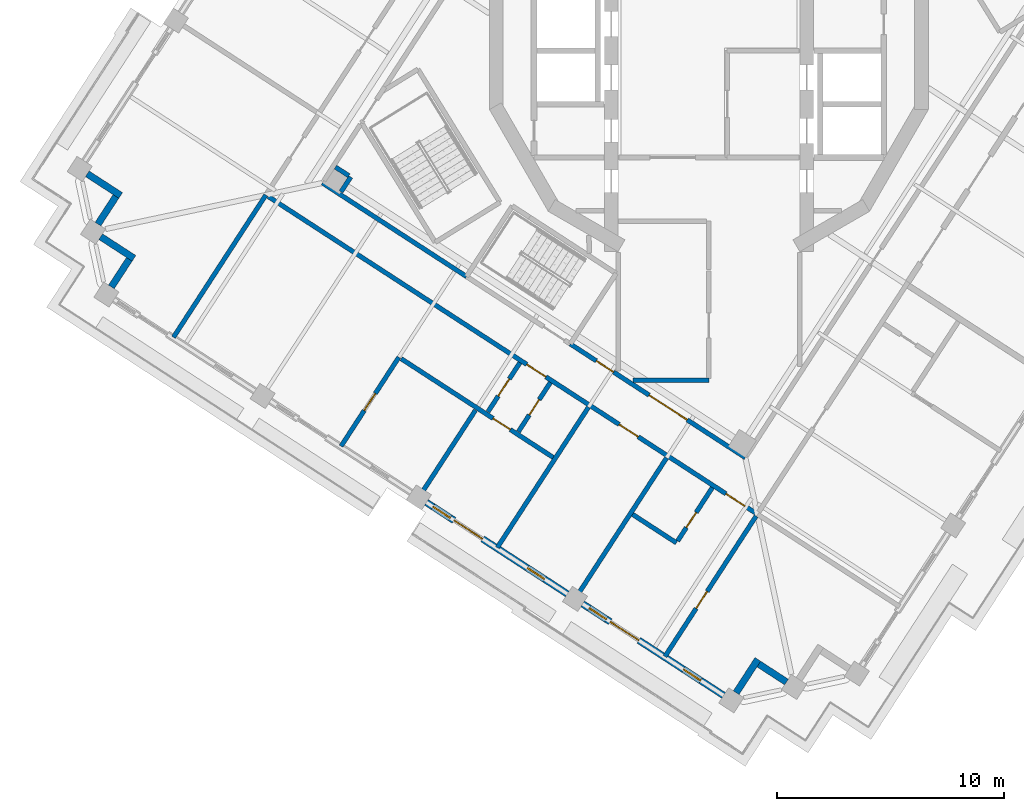
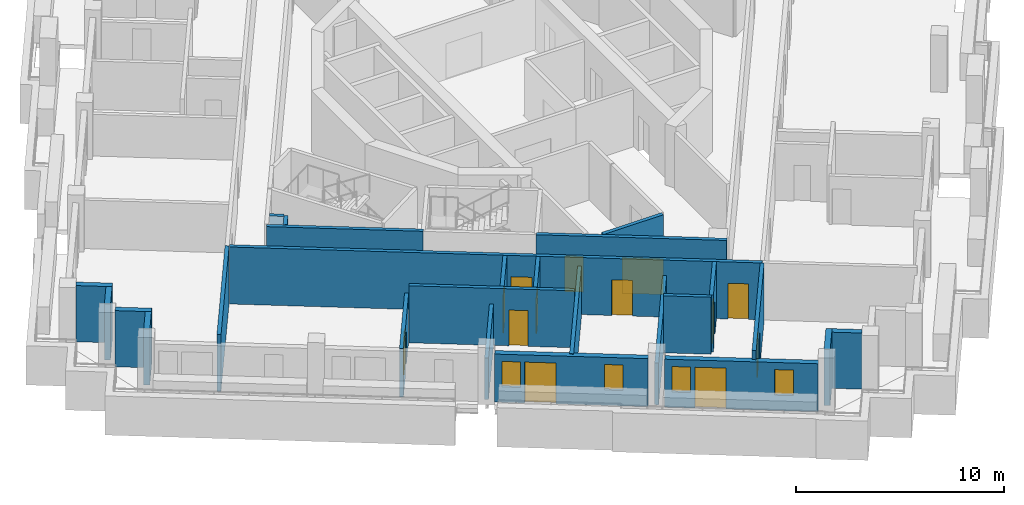
# One storey, part 4 of 15: 25 walls, 13 doors, 4 windows, 17 openings.
"""IFC4 building model written with IfcOpenShell, lengths in metres."""

from ifc_helpers import new_model, si_unit, direction, frame, frame_2d, origin, place, context, subcontext, project, spatial, rectangle, extrude, material, layer, layer_set, type_object, element, fill, save


model = new_model("IFC4")

# Units and contexts
model_context = context("Model", 3, precision=1e-05, world=origin(), true_north=direction((0.0, 1.0)))
body_context = subcontext(model_context, "Body", "Model", "MODEL_VIEW")
ifc_project = project(units=[si_unit("LENGTHUNIT", "METRE"), si_unit("AREAUNIT", "SQUARE_METRE"), si_unit("VOLUMEUNIT", "CUBIC_METRE"), si_unit("PLANEANGLEUNIT", "RADIAN"), si_unit("MASSUNIT", "GRAM", prefix="KILO")], contexts=[model_context])

# Site, building, storey
site_placement = place(None, origin())
site = spatial("IfcSite", under=ifc_project, at=site_placement, CompositionType="ELEMENT")
building_placement = place(site_placement, origin())
building = spatial("IfcBuilding", under=site, at=building_placement, Name="Cantera Rosa Tower", CompositionType="ELEMENT")
storey_placement = place(building_placement, frame((0.0, 0.0, 261.300048828125)))
storey = spatial("IfcBuildingStorey", under=building, at=storey_placement, Name="L58", CompositionType="ELEMENT", Elevation=261.300048828125)

# Wall, openings, doors
ifc_material_1 = material(Name="Gypsum board partition")
ifc_layer_1 = layer(ifc_material_1, 0.199951171875)
ifc_layer_set_1 = layer_set([ifc_layer_1], Name="CORRIDOR WALL 200 H3350")
wall_type_1 = type_object("IfcWallType", Name="CORRIDOR WALL 200 H3350", PredefinedType="PARTITIONING", material=ifc_layer_set_1)
wall_1_placement = place(storey_placement, frame((-19.4052734375, -6.416259765625, 0.0), z_axis=(0.0, 0.0, 1.0), x_axis=(0.83867117695, -0.544638097229, 0.0)))
wall_1 = element("IfcWall", 1, at=wall_1_placement, inside=storey, type_object=wall_type_1, Name="CORRIDOR WALL L58-002", PredefinedType="PARTITIONING", context=body_context, shape_type="SweptSolid", body=[
    extrude(rectangle(XDim=25.679931640625, YDim=0.199951171875, at=frame_2d((12.83984375, 0.0))), origin(), (0.0, 0.0, 1.0), 3.349853515625),
])
opening_1_placement = place(wall_1_placement, frame((13.580078125, 0.0, 0.0)))
opening_1 = element("IfcOpeningElement", 2, at=opening_1_placement, cuts=wall_1, Name="Opening L58-036", PredefinedType="OPENING", context=body_context, shape_type="SweptSolid", body=[
    extrude(rectangle(XDim=1.0, YDim=2.10009765625, at=frame_2d((0.5, 1.050048828125))), frame((0.0, 0.10986328125, 0.0), z_axis=(0.0, -1.0, 0.0), x_axis=(1.0, 0.0, 0.0)), (0.0, 0.0, 1.0), 0.219970703125),
])
opening_2_placement = place(wall_1_placement, frame((18.429931640625, 0.0, 0.0)))
opening_2 = element("IfcOpeningElement", 3, at=opening_2_placement, cuts=wall_1, Name="Opening L58-041", PredefinedType="OPENING", context=body_context, shape_type="SweptSolid", body=[
    extrude(rectangle(XDim=1.0, YDim=2.10009765625, at=frame_2d((0.5, 1.050048828125))), frame((0.0, 0.10986328125, 0.0), z_axis=(0.0, -1.0, 0.0), x_axis=(1.0, 0.0, 0.0)), (0.0, 0.0, 1.0), 0.219970703125),
])
opening_3_placement = place(wall_1_placement, frame((24.030029296875, 0.0, 0.0)))
opening_3 = element("IfcOpeningElement", 4, at=opening_3_placement, cuts=wall_1, Name="Opening L58-042", PredefinedType="OPENING", context=body_context, shape_type="SweptSolid", body=[
    extrude(rectangle(XDim=1.0, YDim=2.10009765625, at=frame_2d((0.5, 1.050048828125))), frame((0.0, 0.10986328125, 0.0), z_axis=(0.0, -1.0, 0.0), x_axis=(1.0, 0.0, 0.0)), (0.0, 0.0, 1.0), 0.219970703125),
])
ifc_material_2 = material(Name="Timber door leaf", Category="wood")
door_type_1 = type_object("IfcDoorType", Name="ENTRANCE DOOR 1000x2100", OperationType="NOTDEFINED", PredefinedType="DOOR", material=ifc_material_2)
door_1_placement = place(opening_1_placement, origin())
door_1 = element("IfcDoor", 5, at=door_1_placement, inside=storey, type_object=door_type_1, Name="DOOR L58-036", OperationType="NOTDEFINED", OverallHeight=2.10009765625, OverallWidth=1.0, PredefinedType="DOOR", context=body_context, shape_type="SweptSolid", body=[
    extrude(rectangle(XDim=1.0, YDim=2.10009765625, at=frame_2d((0.5, 1.050048828125))), frame((0.0, 0.02490234375, 0.0), z_axis=(0.0, -1.0, 0.0), x_axis=(1.0, 0.0, 0.0)), (0.0, 0.0, 1.0), 0.050048828125),
])
fill(opening_1, door_1)
door_2_placement = place(opening_3_placement, origin())
door_2 = element("IfcDoor", 6, at=door_2_placement, inside=storey, type_object=door_type_1, Name="DOOR L58-042", OperationType="NOTDEFINED", OverallHeight=2.10009765625, OverallWidth=1.0, PredefinedType="DOOR", context=body_context, shape_type="SweptSolid", body=[
    extrude(rectangle(XDim=1.0, YDim=2.10009765625, at=frame_2d((0.5, 1.050048828125))), frame((0.0, 0.02490234375, 0.0), z_axis=(0.0, -1.0, 0.0), x_axis=(1.0, 0.0, 0.0)), (0.0, 0.0, 1.0), 0.050048828125),
])
fill(opening_3, door_2)
ifc_material_3 = material(Name="Timber door leaf", Category="wood")
door_type_2 = type_object("IfcDoorType", Name="ROOM DOOR 1000x2100", OperationType="NOTDEFINED", PredefinedType="DOOR", material=ifc_material_3)
door_3_placement = place(opening_2_placement, origin())
door_3 = element("IfcDoor", 7, at=door_3_placement, inside=storey, type_object=door_type_2, Name="DOOR L58-041", OperationType="NOTDEFINED", OverallHeight=2.10009765625, OverallWidth=1.0, PredefinedType="DOOR", context=body_context, shape_type="SweptSolid", body=[
    extrude(rectangle(XDim=1.0, YDim=2.10009765625, at=frame_2d((0.5, 1.050048828125))), frame((0.0, 0.02490234375, 0.0), z_axis=(0.0, -1.0, 0.0), x_axis=(1.0, 0.0, 0.0)), (0.0, 0.0, 1.0), 0.050048828125),
])
fill(opening_2, door_3)

# Wall
wall_2_placement = place(storey_placement, frame((-17.015869140625, -5.82177734375, 0.0), z_axis=(0.0, 0.0, 1.0), x_axis=(0.838672854678, -0.544635513739, 0.0)))
element("IfcWall", 8, at=wall_2_placement, inside=storey, type_object=wall_type_1, Name="CORRIDOR WALL L58-005", PredefinedType="PARTITIONING", context=body_context, shape_type="SweptSolid", body=[
    extrude(rectangle(XDim=7.56494140625, YDim=0.199951171875, at=frame_2d((3.782470703125, 0.0))), origin(), (0.0, 0.0, 1.0), 3.349853515625),
])

# Wall, openings, doors
wall_3_placement = place(storey_placement, frame((-6.1005859375, -12.91015625, 0.0), z_axis=(0.0, 0.0, 1.0), x_axis=(0.838671883824, -0.544637008734, 0.0)))
wall_3 = element("IfcWall", 9, at=wall_3_placement, inside=storey, type_object=wall_type_1, Name="CORRIDOR WALL L58-038", PredefinedType="PARTITIONING", context=body_context, shape_type="SweptSolid", body=[
    extrude(rectangle(XDim=9.184814453125, YDim=0.199951171875, at=frame_2d((4.59228515625, 0.0))), origin(), (0.0, 0.0, 1.0), 3.349853515625),
])
opening_4_placement = place(wall_3_placement, frame((1.36572265625, 0.0, 0.0)))
opening_4 = element("IfcOpeningElement", 10, at=opening_4_placement, cuts=wall_3, Name="Opening L58-006", PredefinedType="OPENING", context=body_context, shape_type="SweptSolid", body=[
    extrude(rectangle(XDim=0.89990234375, YDim=2.10009765625, at=frame_2d((0.449951171875, 1.050048828125))), frame((0.0, 0.10986328125, 0.0), z_axis=(0.0, -1.0, 0.0), x_axis=(1.0, 0.0, 0.0)), (0.0, 0.0, 1.0), 0.219970703125),
])
opening_5_placement = place(wall_3_placement, frame((4.135009765625, 0.0, 0.0)))
opening_5 = element("IfcOpeningElement", 11, at=opening_5_placement, cuts=wall_3, Name="Opening L58-010", PredefinedType="OPENING", context=body_context, shape_type="SweptSolid", body=[
    extrude(rectangle(XDim=2.0, YDim=2.10009765625, at=frame_2d((1.0, 1.050048828125))), frame((0.0, 0.10986328125, 0.0), z_axis=(0.0, -1.0, 0.0), x_axis=(1.0, 0.0, 0.0)), (0.0, 0.0, 1.0), 0.219970703125),
])
ifc_material_4 = material(Name="Steel S355J2 (EN 10025-2)", Category="steel")
door_type_3 = type_object("IfcDoorType", Name="LOBBY SCREEN DOOR 2000x2100", OperationType="NOTDEFINED", PredefinedType="DOOR", material=ifc_material_4)
door_4_placement = place(opening_5_placement, origin())
door_4 = element("IfcDoor", 12, at=door_4_placement, inside=storey, type_object=door_type_3, Name="DOOR L58-010", OperationType="NOTDEFINED", OverallHeight=2.10009765625, OverallWidth=2.0, PredefinedType="DOOR", context=body_context, shape_type="SweptSolid", body=[
    extrude(rectangle(XDim=2.0, YDim=2.10009765625, at=frame_2d((1.0, 1.050048828125))), frame((0.0, 0.02490234375, 0.0), z_axis=(0.0, -1.0, 0.0), x_axis=(1.0, 0.0, 0.0)), (0.0, 0.0, 1.0), 0.050048828125),
])
fill(opening_5, door_4)
ifc_material_5 = material(Name="Timber door leaf", Category="wood")
door_type_4 = type_object("IfcDoorType", Name="SERVICE DOOR 900x2100", OperationType="NOTDEFINED", PredefinedType="DOOR", material=ifc_material_5)
door_5_placement = place(opening_4_placement, origin())
door_5 = element("IfcDoor", 13, at=door_5_placement, inside=storey, type_object=door_type_4, Name="DOOR L58-006", OperationType="NOTDEFINED", OverallHeight=2.10009765625, OverallWidth=0.89990234375, PredefinedType="DOOR", context=body_context, shape_type="SweptSolid", body=[
    extrude(rectangle(XDim=0.89990234375, YDim=2.10009765625, at=frame_2d((0.449951171875, 1.050048828125))), frame((0.0, 0.02490234375, 0.0), z_axis=(0.0, -1.0, 0.0), x_axis=(1.0, 0.0, 0.0)), (0.0, 0.0, 1.0), 0.050048828125),
])
fill(opening_4, door_5)

# Walls
wall_4_placement = place(storey_placement, frame((-3.33251953125, -14.5, 0.0), z_axis=(0.0, 0.0, 1.0), x_axis=(1.0, 0.0, 0.0)))
element("IfcWall", 14, at=wall_4_placement, inside=storey, type_object=wall_type_1, Name="CORRIDOR WALL L58-049", PredefinedType="PARTITIONING", context=body_context, shape_type="SweptSolid", body=[
    extrude(rectangle(XDim=3.33251953125, YDim=0.199951171875, at=frame_2d((1.666259765625, 0.0))), origin(), (0.0, 0.0, 1.0), 3.349853515625),
])
ifc_material_6 = material(Name="Hollow clay masonry with cantera stone cladding", Category="masonry")
ifc_layer_2 = layer(ifc_material_6, 0.300048828125)
ifc_layer_set_2 = layer_set([ifc_layer_2], Name="EW-LOGGIA 300")
wall_type_2 = type_object("IfcWallType", Name="EW-LOGGIA 300", PredefinedType="SOLIDWALL", material=ifc_layer_set_2)
wall_5_placement = place(storey_placement, frame((-27.36669921875, -5.41943359375, 0.0), z_axis=(0.0, 0.0, 1.0), x_axis=(0.838685761837, -0.54461563776, 0.0)))
element("IfcWall", 15, at=wall_5_placement, inside=storey, type_object=wall_type_2, Name="EN-L58-W12a", PredefinedType="SOLIDWALL", context=body_context, shape_type="SweptSolid", body=[
    extrude(rectangle(XDim=1.75, YDim=0.300048828125, at=frame_2d((0.875, 0.0))), origin(), (0.0, 0.0, 1.0), 3.300048828125),
])
wall_6_placement = place(storey_placement, frame((-26.1064453125, -6.41650390625, 0.0), z_axis=(0.0, 0.0, 1.0), x_axis=(-0.54467465438, -0.838647435384, 0.0)))
element("IfcWall", 16, at=wall_6_placement, inside=storey, type_object=wall_type_2, Name="EN-L58-W12b", PredefinedType="SOLIDWALL", context=body_context, shape_type="SweptSolid", body=[
    extrude(rectangle(XDim=1.449951171875, YDim=0.300048828125, at=frame_2d((0.72509765625, 0.0))), origin(), (0.0, 0.0, 1.0), 3.300048828125),
])
wall_7_placement = place(storey_placement, frame((-26.778564453125, -8.18603515625, 0.0), z_axis=(0.0, 0.0, 1.0), x_axis=(0.838685761837, -0.54461563776, 0.0)))
element("IfcWall", 17, at=wall_7_placement, inside=storey, type_object=wall_type_2, Name="EN-L58-W13a", PredefinedType="SOLIDWALL", context=body_context, shape_type="SweptSolid", body=[
    extrude(rectangle(XDim=1.75, YDim=0.300048828125, at=frame_2d((0.875, 0.0))), origin(), (0.0, 0.0, 1.0), 3.300048828125),
])
wall_8_placement = place(storey_placement, frame((-25.518310546875, -9.18310546875, 0.0), z_axis=(0.0, 0.0, 1.0), x_axis=(-0.54467465438, -0.838647435384, 0.0)))
element("IfcWall", 18, at=wall_8_placement, inside=storey, type_object=wall_type_2, Name="EN-L58-W13b", PredefinedType="SOLIDWALL", context=body_context, shape_type="SweptSolid", body=[
    extrude(rectangle(XDim=1.449951171875, YDim=0.300048828125, at=frame_2d((0.72509765625, 0.0))), origin(), (0.0, 0.0, 1.0), 3.300048828125),
])
wall_9_placement = place(storey_placement, frame((1.2001953125, -28.263427734375, 0.0), z_axis=(0.0, 0.0, 1.0), x_axis=(0.54461563776, 0.838685761837, 0.0)))
element("IfcWall", 19, at=wall_9_placement, inside=storey, type_object=wall_type_2, Name="EN-L58-W18a", PredefinedType="SOLIDWALL", context=body_context, shape_type="SweptSolid", body=[
    extrude(rectangle(XDim=1.75, YDim=0.300048828125, at=frame_2d((0.875, 0.0))), origin(), (0.0, 0.0, 1.0), 3.300048828125),
])
wall_10_placement = place(storey_placement, frame((2.197509765625, -27.003173828125, 0.0), z_axis=(0.0, 0.0, 1.0), x_axis=(0.838647435384, -0.54467465438, 0.0)))
element("IfcWall", 20, at=wall_10_placement, inside=storey, type_object=wall_type_2, Name="EN-L58-W18b", PredefinedType="SOLIDWALL", context=body_context, shape_type="SweptSolid", body=[
    extrude(rectangle(XDim=1.449951171875, YDim=0.300048828125, at=frame_2d((0.72509765625, 0.0))), origin(), (0.0, 0.0, 1.0), 3.300048828125),
])

# Wall, openings, windows, door
ifc_material_7 = material(Name="Hollow clay masonry with cantera stone cladding", Category="masonry")
ifc_layer_3 = layer(ifc_material_7, 0.300048828125)
ifc_layer_set_3 = layer_set([ifc_layer_3], Name="EW-LOGGIA 300 H2820")
wall_type_3 = type_object("IfcWallType", Name="EW-LOGGIA 300 H2820", PredefinedType="SOLIDWALL", material=ifc_layer_set_3)
wall_11_placement = place(storey_placement, frame((-12.436279296875, -19.884765625, 0.0), z_axis=(0.0, 0.0, 1.0), x_axis=(0.838669679097, -0.544640403719, 0.0)))
wall_11 = element("IfcWall", 21, at=wall_11_placement, inside=storey, type_object=wall_type_3, Name="EN-L58-W16", PredefinedType="SOLIDWALL", context=body_context, shape_type="SweptSolid", body=[
    extrude(rectangle(XDim=7.39990234375, YDim=0.300048828125, at=frame_2d((3.699951171875, 0.0))), origin(), (0.0, 0.0, 1.0), 2.820068359375),
])
opening_6_placement = place(wall_11_placement, frame((0.35009765625, 0.0, 0.89990234375)))
opening_6 = element("IfcOpeningElement", 22, at=opening_6_placement, cuts=wall_11, Name="Opening L58-W34", PredefinedType="OPENING", context=body_context, shape_type="SweptSolid", body=[
    extrude(rectangle(XDim=0.89990234375, YDim=1.5, at=frame_2d((0.449951171875, 0.75))), frame((0.0, 0.159912109375, 0.0), z_axis=(0.0, -1.0, 0.0), x_axis=(1.0, 0.0, 0.0)), (0.0, 0.0, 1.0), 0.320068359375),
])
opening_7_placement = place(wall_11_placement, frame((1.449951171875, 0.0, 0.0)))
opening_7 = element("IfcOpeningElement", 23, at=opening_7_placement, cuts=wall_11, Name="Opening L58-TD35", PredefinedType="OPENING", context=body_context, shape_type="SweptSolid", body=[
    extrude(rectangle(XDim=1.5, YDim=2.39990234375, at=frame_2d((0.75, 1.199951171875))), frame((0.0, 0.159912109375, 0.0), z_axis=(0.0, -1.0, 0.0), x_axis=(1.0, 0.0, 0.0)), (0.0, 0.0, 1.0), 0.320068359375),
])
opening_8_placement = place(wall_11_placement, frame((5.300048828125, 0.0, 0.89990234375)))
opening_8 = element("IfcOpeningElement", 24, at=opening_8_placement, cuts=wall_11, Name="Opening L58-W36", PredefinedType="OPENING", context=body_context, shape_type="SweptSolid", body=[
    extrude(rectangle(XDim=0.89990234375, YDim=1.5, at=frame_2d((0.449951171875, 0.75))), frame((0.0, 0.159912109375, 0.0), z_axis=(0.0, -1.0, 0.0), x_axis=(1.0, 0.0, 0.0)), (0.0, 0.0, 1.0), 0.320068359375),
])
ifc_material_8 = material(Name="Aluminium frame with clear glass", Category="aluminium")
window_type = type_object("IfcWindowType", Name="Residential window 900x1500", PartitioningType="SINGLE_PANEL", PredefinedType="WINDOW", material=ifc_material_8)
window_1_placement = place(opening_6_placement, origin())
window_1 = element("IfcWindow", 25, at=window_1_placement, inside=storey, type_object=window_type, Name="WINDOW L58-W34", OverallHeight=1.5, OverallWidth=0.89990234375, PartitioningType="SINGLE_PANEL", PredefinedType="WINDOW", context=body_context, shape_type="SweptSolid", body=[
    extrude(rectangle(XDim=0.89990234375, YDim=1.5, at=frame_2d((0.449951171875, 0.75))), frame((0.0, 0.030029296875, 0.0), z_axis=(0.0, -1.0, 0.0), x_axis=(1.0, 0.0, 0.0)), (0.0, 0.0, 1.0), 0.06005859375),
])
fill(opening_6, window_1)
window_2_placement = place(opening_8_placement, origin())
window_2 = element("IfcWindow", 26, at=window_2_placement, inside=storey, type_object=window_type, Name="WINDOW L58-W36", OverallHeight=1.5, OverallWidth=0.89990234375, PartitioningType="SINGLE_PANEL", PredefinedType="WINDOW", context=body_context, shape_type="SweptSolid", body=[
    extrude(rectangle(XDim=0.89990234375, YDim=1.5, at=frame_2d((0.449951171875, 0.75))), frame((0.0, 0.030029296875, 0.0), z_axis=(0.0, -1.0, 0.0), x_axis=(1.0, 0.0, 0.0)), (0.0, 0.0, 1.0), 0.06005859375),
])
fill(opening_8, window_2)
ifc_material_9 = material(Name="Aluminium frame with clear glass", Category="aluminium")
door_type_5 = type_object("IfcDoorType", Name="TD-R 1500x2400", OperationType="NOTDEFINED", PredefinedType="DOOR", material=ifc_material_9)
door_6_placement = place(opening_7_placement, origin())
door_6 = element("IfcDoor", 27, at=door_6_placement, inside=storey, type_object=door_type_5, Name="LOGGIA DOOR L58-TD35", OperationType="SLIDING_TO_LEFT", OverallHeight=2.39990234375, OverallWidth=1.5, PredefinedType="DOOR", context=body_context, shape_type="SweptSolid", body=[
    extrude(rectangle(XDim=1.5, YDim=2.39990234375, at=frame_2d((0.75, 1.199951171875))), frame((0.0, 0.02490234375, 0.0), z_axis=(0.0, -1.0, 0.0), x_axis=(1.0, 0.0, 0.0)), (0.0, 0.0, 1.0), 0.050048828125),
])
fill(opening_7, door_6)

wall_12_placement = place(storey_placement, frame((-5.559326171875, -24.350830078125, 0.0), z_axis=(0.0, 0.0, 1.0), x_axis=(0.838679465365, -0.544625333946, 0.0)))
wall_12 = element("IfcWall", 28, at=wall_12_placement, inside=storey, type_object=wall_type_3, Name="EN-L58-W17", PredefinedType="SOLIDWALL", context=body_context, shape_type="SweptSolid", body=[
    extrude(rectangle(XDim=7.400146484375, YDim=0.300048828125, at=frame_2d((3.7001953125, 0.0))), origin(), (0.0, 0.0, 1.0), 2.820068359375),
])
opening_9_placement = place(wall_12_placement, frame((0.35009765625, 0.0, 0.89990234375)))
opening_9 = element("IfcOpeningElement", 29, at=opening_9_placement, cuts=wall_12, Name="Opening L58-W37", PredefinedType="OPENING", context=body_context, shape_type="SweptSolid", body=[
    extrude(rectangle(XDim=0.89990234375, YDim=1.5, at=frame_2d((0.449951171875, 0.75))), frame((0.0, 0.159912109375, 0.0), z_axis=(0.0, -1.0, 0.0), x_axis=(1.0, 0.0, 0.0)), (0.0, 0.0, 1.0), 0.320068359375),
])
opening_10_placement = place(wall_12_placement, frame((1.449951171875, 0.0, 0.0)))
opening_10 = element("IfcOpeningElement", 30, at=opening_10_placement, cuts=wall_12, Name="Opening L58-TD38", PredefinedType="OPENING", context=body_context, shape_type="SweptSolid", body=[
    extrude(rectangle(XDim=1.5, YDim=2.39990234375, at=frame_2d((0.75, 1.199951171875))), frame((0.0, 0.159912109375, 0.0), z_axis=(0.0, -1.0, 0.0), x_axis=(1.0, 0.0, 0.0)), (0.0, 0.0, 1.0), 0.320068359375),
])
opening_11_placement = place(wall_12_placement, frame((5.300048828125, 0.0, 0.89990234375)))
opening_11 = element("IfcOpeningElement", 31, at=opening_11_placement, cuts=wall_12, Name="Opening L58-W39", PredefinedType="OPENING", context=body_context, shape_type="SweptSolid", body=[
    extrude(rectangle(XDim=0.89990234375, YDim=1.5, at=frame_2d((0.449951171875, 0.75))), frame((0.0, 0.159912109375, 0.0), z_axis=(0.0, -1.0, 0.0), x_axis=(1.0, 0.0, 0.0)), (0.0, 0.0, 1.0), 0.320068359375),
])
window_3_placement = place(opening_9_placement, origin())
window_3 = element("IfcWindow", 32, at=window_3_placement, inside=storey, type_object=window_type, Name="WINDOW L58-W37", OverallHeight=1.5, OverallWidth=0.89990234375, PartitioningType="SINGLE_PANEL", PredefinedType="WINDOW", context=body_context, shape_type="SweptSolid", body=[
    extrude(rectangle(XDim=0.89990234375, YDim=1.5, at=frame_2d((0.449951171875, 0.75))), frame((0.0, 0.030029296875, 0.0), z_axis=(0.0, -1.0, 0.0), x_axis=(1.0, 0.0, 0.0)), (0.0, 0.0, 1.0), 0.06005859375),
])
fill(opening_9, window_3)
window_4_placement = place(opening_11_placement, origin())
window_4 = element("IfcWindow", 33, at=window_4_placement, inside=storey, type_object=window_type, Name="WINDOW L58-W39", OverallHeight=1.5, OverallWidth=0.89990234375, PartitioningType="SINGLE_PANEL", PredefinedType="WINDOW", context=body_context, shape_type="SweptSolid", body=[
    extrude(rectangle(XDim=0.89990234375, YDim=1.5, at=frame_2d((0.449951171875, 0.75))), frame((0.0, 0.030029296875, 0.0), z_axis=(0.0, -1.0, 0.0), x_axis=(1.0, 0.0, 0.0)), (0.0, 0.0, 1.0), 0.06005859375),
])
fill(opening_11, window_4)
door_7_placement = place(opening_10_placement, origin())
door_7 = element("IfcDoor", 34, at=door_7_placement, inside=storey, type_object=door_type_5, Name="LOGGIA DOOR L58-TD38", OperationType="SLIDING_TO_LEFT", OverallHeight=2.39990234375, OverallWidth=1.5, PredefinedType="DOOR", context=body_context, shape_type="SweptSolid", body=[
    extrude(rectangle(XDim=1.5, YDim=2.39990234375, at=frame_2d((0.75, 1.199951171875))), frame((0.0, 0.02490234375, 0.0), z_axis=(0.0, -1.0, 0.0), x_axis=(1.0, 0.0, 0.0)), (0.0, 0.0, 1.0), 0.050048828125),
])
fill(opening_10, door_7)

# Wall
ifc_material_10 = material(Name="Gypsum board partition")
ifc_layer_4 = layer(ifc_material_10, 0.199951171875)
ifc_layer_set_4 = layer_set([ifc_layer_4], Name="PARTITION 200 H2450")
wall_type_4 = type_object("IfcWallType", Name="PARTITION 200 H2450", PredefinedType="PARTITIONING", material=ifc_layer_set_4)
wall_13_placement = place(storey_placement, frame((-12.75537109375, -19.6416015625, 0.0), z_axis=(0.0, 0.0, 1.0), x_axis=(0.544629951314, 0.8386764669, 0.0)))
element("IfcWall", 35, at=wall_13_placement, inside=storey, type_object=wall_type_4, Name="PARTITION L58-020", PredefinedType="PARTITIONING", context=body_context, shape_type="SweptSolid", body=[
    extrude(rectangle(XDim=4.550048828125, YDim=0.199951171875, at=frame_2d((2.27490234375, 0.0))), origin(), (0.0, 0.0, 1.0), 2.449951171875),
])

# Wall, opening, door
ifc_material_11 = material(Name="Gypsum board partition")
ifc_layer_5 = layer(ifc_material_11, 0.199951171875)
ifc_layer_set_5 = layer_set([ifc_layer_5], Name="PARTITION 200 H2850")
wall_type_5 = type_object("IfcWallType", Name="PARTITION 200 H2850", PredefinedType="PARTITIONING", material=ifc_layer_set_5)
wall_14_placement = place(storey_placement, frame((-16.194091796875, -17.40869140625, 0.0), z_axis=(0.0, 0.0, 1.0), x_axis=(0.544683283636, 0.838641830895, 0.0)))
wall_14 = element("IfcWall", 36, at=wall_14_placement, inside=storey, type_object=wall_type_5, Name="PARTITION L58-007", PredefinedType="PARTITIONING", context=body_context, shape_type="SweptSolid", body=[
    extrude(rectangle(XDim=4.670166015625, YDim=0.199951171875, at=frame_2d((2.3349609375, 0.0))), origin(), (0.0, 0.0, 1.0), 2.849853515625),
])
opening_12_placement = place(wall_14_placement, frame((1.8701171875, 0.0, 0.0)))
opening_12 = element("IfcOpeningElement", 37, at=opening_12_placement, cuts=wall_14, Name="Opening L58-040", PredefinedType="OPENING", context=body_context, shape_type="SweptSolid", body=[
    extrude(rectangle(XDim=0.89990234375, YDim=2.10009765625, at=frame_2d((0.449951171875, 1.050048828125))), frame((0.0, 0.10986328125, 0.0), z_axis=(0.0, -1.0, 0.0), x_axis=(1.0, 0.0, 0.0)), (0.0, 0.0, 1.0), 0.219970703125),
])
ifc_material_12 = material(Name="Timber door leaf", Category="wood")
door_type_6 = type_object("IfcDoorType", Name="ROOM DOOR 900x2100", OperationType="NOTDEFINED", PredefinedType="DOOR", material=ifc_material_12)
door_8_placement = place(opening_12_placement, origin())
door_8 = element("IfcDoor", 38, at=door_8_placement, inside=storey, type_object=door_type_6, Name="DOOR L58-040", OperationType="NOTDEFINED", OverallHeight=2.10009765625, OverallWidth=0.89990234375, PredefinedType="DOOR", context=body_context, shape_type="SweptSolid", body=[
    extrude(rectangle(XDim=0.89990234375, YDim=2.10009765625, at=frame_2d((0.449951171875, 1.050048828125))), frame((0.0, 0.02490234375, 0.0), z_axis=(0.0, -1.0, 0.0), x_axis=(1.0, 0.0, 0.0)), (0.0, 0.0, 1.0), 0.050048828125),
])
fill(opening_12, door_8)

# Walls
ifc_material_13 = material(Name="Gypsum board partition")
ifc_layer_6 = layer(ifc_material_13, 0.199951171875)
ifc_layer_set_6 = layer_set([ifc_layer_6], Name="PARTITION 200 H3350")
wall_type_6 = type_object("IfcWallType", Name="PARTITION 200 H3350", PredefinedType="PARTITIONING", material=ifc_layer_set_6)
wall_15_placement = place(storey_placement, frame((-16.19580078125, -6.211181640625, 0.0), z_axis=(0.0, 0.0, 1.0), x_axis=(0.544691230082, 0.838636669764, 0.0)))
element("IfcWall", 39, at=wall_15_placement, inside=storey, type_object=wall_type_6, Name="PARTITION L58-006", PredefinedType="PARTITIONING", context=body_context, shape_type="SweptSolid", body=[
    extrude(rectangle(XDim=0.77978515625, YDim=0.199951171875, at=frame_2d((0.389892578125, 0.0))), origin(), (0.0, 0.0, 1.0), 3.349853515625),
])
wall_16_placement = place(storey_placement, frame((-15.854736328125, -5.502685546875, 0.0), z_axis=(0.0, 0.0, 1.0), x_axis=(-0.838642734471, 0.544681892409, 0.0)))
element("IfcWall", 40, at=wall_16_placement, inside=storey, type_object=wall_type_6, Name="PARTITION L58-008", PredefinedType="PARTITIONING", context=body_context, shape_type="SweptSolid", body=[
    extrude(rectangle(XDim=0.7001953125, YDim=0.199951171875, at=frame_2d((0.35009765625, 0.0))), origin(), (0.0, 0.0, 1.0), 3.349853515625),
])

# Wall, opening, door
wall_17_placement = place(storey_placement, frame((-13.5498046875, -13.557373046875, 0.0), z_axis=(0.0, 0.0, 1.0), x_axis=(0.838664432153, -0.54464848319, 0.0)))
wall_17 = element("IfcWall", 41, at=wall_17_placement, inside=storey, type_object=wall_type_6, Name="PARTITION L58-015", PredefinedType="PARTITIONING", context=body_context, shape_type="SweptSolid", body=[
    extrude(rectangle(XDim=7.979736328125, YDim=0.199951171875, at=frame_2d((3.98974609375, 0.0))), origin(), (0.0, 0.0, 1.0), 3.349853515625),
])
opening_13_placement = place(wall_17_placement, frame((4.830078125, 0.0, 0.0)))
opening_13 = element("IfcOpeningElement", 42, at=opening_13_placement, cuts=wall_17, Name="Opening L58-039", PredefinedType="OPENING", context=body_context, shape_type="SweptSolid", body=[
    extrude(rectangle(XDim=0.89990234375, YDim=2.10009765625, at=frame_2d((0.449951171875, 1.050048828125))), frame((0.0, 0.10986328125, 0.0), z_axis=(0.0, -1.0, 0.0), x_axis=(1.0, 0.0, 0.0)), (0.0, 0.0, 1.0), 0.219970703125),
])
door_9_placement = place(opening_13_placement, origin())
door_9 = element("IfcDoor", 43, at=door_9_placement, inside=storey, type_object=door_type_6, Name="DOOR L58-039", OperationType="NOTDEFINED", OverallHeight=2.10009765625, OverallWidth=0.89990234375, PredefinedType="DOOR", context=body_context, shape_type="SweptSolid", body=[
    extrude(rectangle(XDim=0.89990234375, YDim=2.10009765625, at=frame_2d((0.449951171875, 1.050048828125))), frame((0.0, 0.02490234375, 0.0), z_axis=(0.0, -1.0, 0.0), x_axis=(1.0, 0.0, 0.0)), (0.0, 0.0, 1.0), 0.050048828125),
])
fill(opening_13, door_9)

wall_18_placement = place(storey_placement, frame((-9.727294921875, -15.896728515625, 0.0), z_axis=(0.0, 0.0, 1.0), x_axis=(0.544659035015, 0.838657579454, 0.0)))
wall_18 = element("IfcWall", 44, at=wall_18_placement, inside=storey, type_object=wall_type_6, Name="PARTITION L58-024", PredefinedType="PARTITIONING", context=body_context, shape_type="SweptSolid", body=[
    extrude(rectangle(XDim=2.580078125, YDim=0.199951171875, at=frame_2d((1.2900390625, 0.0))), origin(), (0.0, 0.0, 1.0), 3.349853515625),
])
opening_14_placement = place(wall_18_placement, frame((0.830078125, 0.0, 0.0)))
opening_14 = element("IfcOpeningElement", 45, at=opening_14_placement, cuts=wall_18, Name="Opening L58-038", PredefinedType="OPENING", context=body_context, shape_type="SweptSolid", body=[
    extrude(rectangle(XDim=0.89990234375, YDim=2.10009765625, at=frame_2d((0.449951171875, 1.050048828125))), frame((0.0, 0.10986328125, 0.0), z_axis=(0.0, -1.0, 0.0), x_axis=(1.0, 0.0, 0.0)), (0.0, 0.0, 1.0), 0.219970703125),
])
door_10_placement = place(opening_14_placement, origin())
door_10 = element("IfcDoor", 46, at=door_10_placement, inside=storey, type_object=door_type_6, Name="DOOR L58-038", OperationType="NOTDEFINED", OverallHeight=2.10009765625, OverallWidth=0.89990234375, PredefinedType="DOOR", context=body_context, shape_type="SweptSolid", body=[
    extrude(rectangle(XDim=0.89990234375, YDim=2.10009765625, at=frame_2d((0.449951171875, 1.050048828125))), frame((0.0, 0.02490234375, 0.0), z_axis=(0.0, -1.0, 0.0), x_axis=(1.0, 0.0, 0.0)), (0.0, 0.0, 1.0), 0.050048828125),
])
fill(opening_14, door_10)

wall_19_placement = place(storey_placement, frame((-8.385498046875, -16.768310546875, 0.0), z_axis=(0.0, 0.0, 1.0), x_axis=(0.544659035015, 0.838657579454, 0.0)))
wall_19 = element("IfcWall", 47, at=wall_19_placement, inside=storey, type_object=wall_type_6, Name="PARTITION L58-029", PredefinedType="PARTITIONING", context=body_context, shape_type="SweptSolid", body=[
    extrude(rectangle(XDim=2.580078125, YDim=0.199951171875, at=frame_2d((1.2900390625, 0.0))), origin(), (0.0, 0.0, 1.0), 3.349853515625),
])
opening_15_placement = place(wall_19_placement, frame((0.8798828125, 0.0, 0.0)))
opening_15 = element("IfcOpeningElement", 48, at=opening_15_placement, cuts=wall_19, Name="Opening L58-037", PredefinedType="OPENING", context=body_context, shape_type="SweptSolid", body=[
    extrude(rectangle(XDim=0.800048828125, YDim=2.10009765625, at=frame_2d((0.39990234375, 1.050048828125))), frame((0.0, 0.10986328125, 0.0), z_axis=(0.0, -1.0, 0.0), x_axis=(1.0, 0.0, 0.0)), (0.0, 0.0, 1.0), 0.219970703125),
])
ifc_material_14 = material(Name="Timber door leaf", Category="wood")
door_type_7 = type_object("IfcDoorType", Name="BATHROOM DOOR 800x2100", OperationType="NOTDEFINED", PredefinedType="DOOR", material=ifc_material_14)
door_11_placement = place(opening_15_placement, origin())
door_11 = element("IfcDoor", 49, at=door_11_placement, inside=storey, type_object=door_type_7, Name="DOOR L58-037", OperationType="NOTDEFINED", OverallHeight=2.10009765625, OverallWidth=0.800048828125, PredefinedType="DOOR", context=body_context, shape_type="SweptSolid", body=[
    extrude(rectangle(XDim=0.800048828125, YDim=2.10009765625, at=frame_2d((0.39990234375, 1.050048828125))), frame((0.0, 0.02490234375, 0.0), z_axis=(0.0, -1.0, 0.0), x_axis=(1.0, 0.0, 0.0)), (0.0, 0.0, 1.0), 0.050048828125),
])
fill(opening_15, door_11)

wall_20_placement = place(storey_placement, frame((-1.9365234375, -26.66748046875, 0.0), z_axis=(0.0, 0.0, 1.0), x_axis=(0.544637822535, 0.838671355338, 0.0)))
wall_20 = element("IfcWall", 50, at=wall_20_placement, inside=storey, type_object=wall_type_6, Name="PARTITION L58-053", PredefinedType="PARTITIONING", context=body_context, shape_type="SweptSolid", body=[
    extrude(rectangle(XDim=7.369873046875, YDim=0.199951171875, at=frame_2d((3.68505859375, 0.0))), origin(), (0.0, 0.0, 1.0), 3.349853515625),
])
opening_16_placement = place(wall_20_placement, frame((2.52001953125, 0.0, 0.0)))
opening_16 = element("IfcOpeningElement", 51, at=opening_16_placement, cuts=wall_20, Name="Opening L58-044", PredefinedType="OPENING", context=body_context, shape_type="SweptSolid", body=[
    extrude(rectangle(XDim=0.89990234375, YDim=2.10009765625, at=frame_2d((0.449951171875, 1.050048828125))), frame((0.0, 0.10986328125, 0.0), z_axis=(0.0, -1.0, 0.0), x_axis=(1.0, 0.0, 0.0)), (0.0, 0.0, 1.0), 0.219970703125),
])
door_12_placement = place(opening_16_placement, origin())
door_12 = element("IfcDoor", 52, at=door_12_placement, inside=storey, type_object=door_type_6, Name="DOOR L58-044", OperationType="NOTDEFINED", OverallHeight=2.10009765625, OverallWidth=0.89990234375, PredefinedType="DOOR", context=body_context, shape_type="SweptSolid", body=[
    extrude(rectangle(XDim=0.89990234375, YDim=2.10009765625, at=frame_2d((0.449951171875, 1.050048828125))), frame((0.0, 0.02490234375, 0.0), z_axis=(0.0, -1.0, 0.0), x_axis=(1.0, 0.0, 0.0)), (0.0, 0.0, 1.0), 0.050048828125),
])
fill(opening_16, door_12)

# Wall
wall_21_placement = place(storey_placement, frame((-1.430908203125, -21.666015625, 0.0), z_axis=(0.0, 0.0, 1.0), x_axis=(-0.838669083999, 0.544641320086, 0.0)))
element("IfcWall", 53, at=wall_21_placement, inside=storey, type_object=wall_type_6, Name="PARTITION L58-056", PredefinedType="PARTITIONING", context=body_context, shape_type="SweptSolid", body=[
    extrude(rectangle(XDim=2.300048828125, YDim=0.199951171875, at=frame_2d((1.14990234375, 0.0))), origin(), (0.0, 0.0, 1.0), 3.349853515625),
])

# Wall, opening, door
wall_22_placement = place(storey_placement, frame((0.1484375, -19.23388671875, 0.0), z_axis=(0.0, 0.0, 1.0), x_axis=(-0.54463889816, -0.83867065682, 0.0)))
wall_22 = element("IfcWall", 54, at=wall_22_placement, inside=storey, type_object=wall_type_6, Name="PARTITION L58-060", PredefinedType="PARTITIONING", context=body_context, shape_type="SweptSolid", body=[
    extrude(rectangle(XDim=2.7998046875, YDim=0.199951171875, at=frame_2d((1.39990234375, 0.0))), origin(), (0.0, 0.0, 1.0), 3.349853515625),
])
opening_17_placement = place(wall_22_placement, frame((1.300048828125, 0.0, 0.0)))
opening_17 = element("IfcOpeningElement", 55, at=opening_17_placement, cuts=wall_22, Name="Opening L58-043", PredefinedType="OPENING", context=body_context, shape_type="SweptSolid", body=[
    extrude(rectangle(XDim=0.800048828125, YDim=2.10009765625, at=frame_2d((0.39990234375, 1.050048828125))), frame((0.0, 0.10986328125, 0.0), z_axis=(0.0, -1.0, 0.0), x_axis=(1.0, 0.0, 0.0)), (0.0, 0.0, 1.0), 0.219970703125),
])
door_13_placement = place(opening_17_placement, origin())
door_13 = element("IfcDoor", 56, at=door_13_placement, inside=storey, type_object=door_type_7, Name="DOOR L58-043", OperationType="NOTDEFINED", OverallHeight=2.10009765625, OverallWidth=0.800048828125, PredefinedType="DOOR", context=body_context, shape_type="SweptSolid", body=[
    extrude(rectangle(XDim=0.800048828125, YDim=2.10009765625, at=frame_2d((0.39990234375, 1.050048828125))), frame((0.0, 0.02490234375, 0.0), z_axis=(0.0, -1.0, 0.0), x_axis=(1.0, 0.0, 0.0)), (0.0, 0.0, 1.0), 0.050048828125),
])
fill(opening_17, door_13)

# Walls
ifc_material_15 = material(Name="Gypsum board partition")
ifc_layer_7 = layer(ifc_material_15, 0.199951171875)
ifc_layer_set_7 = layer_set([ifc_layer_7], Name="PARTY WALL 200 H2450")
wall_type_7 = type_object("IfcWallType", Name="PARTY WALL 200 H2450", PredefinedType="PARTITIONING", material=ifc_layer_set_7)
wall_23_placement = place(storey_placement, frame((-1.864501953125, -17.9267578125, 0.0), z_axis=(0.0, 0.0, 1.0), x_axis=(-0.544637822535, -0.838671355338, 0.0)))
element("IfcWall", 57, at=wall_23_placement, inside=storey, type_object=wall_type_7, Name="PARTY WALL L58-054", PredefinedType="PARTITIONING", context=body_context, shape_type="SweptSolid", body=[
    extrude(rectangle(XDim=7.369873046875, YDim=0.199951171875, at=frame_2d((3.68505859375, 0.0))), origin(), (0.0, 0.0, 1.0), 2.449951171875),
])
ifc_material_16 = material(Name="Gypsum board partition")
ifc_layer_8 = layer(ifc_material_16, 0.199951171875)
ifc_layer_set_8 = layer_set([ifc_layer_8], Name="PARTY WALL 200 H2850")
wall_type_8 = type_object("IfcWallType", Name="PARTY WALL 200 H2850", PredefinedType="PARTITIONING", material=ifc_layer_set_8)
wall_24_placement = place(storey_placement, frame((-5.302978515625, -15.693603515625, 0.0), z_axis=(0.0, 0.0, 1.0), x_axis=(-0.544622691464, -0.838681181345, 0.0)))
element("IfcWall", 58, at=wall_24_placement, inside=storey, type_object=wall_type_8, Name="PARTY WALL L58-042", PredefinedType="PARTITIONING", context=body_context, shape_type="SweptSolid", body=[
    extrude(rectangle(XDim=7.3701171875, YDim=0.199951171875, at=frame_2d((3.68505859375, 0.0))), origin(), (0.0, 0.0, 1.0), 2.849853515625),
])
ifc_material_17 = material(Name="Gypsum board partition")
ifc_layer_9 = layer(ifc_material_17, 0.199951171875)
ifc_layer_set_9 = layer_set([ifc_layer_9], Name="PARTY WALL 200 H3350")
wall_type_9 = type_object("IfcWallType", Name="PARTY WALL 200 H3350", PredefinedType="PARTITIONING", material=ifc_layer_set_9)
wall_25_placement = place(storey_placement, frame((-19.505859375, -6.35107421875, 0.0), z_axis=(0.0, 0.0, 1.0), x_axis=(-0.544643659397, -0.838667564818, 0.0)))
element("IfcWall", 59, at=wall_25_placement, inside=storey, type_object=wall_type_9, Name="PARTY WALL L58-001", PredefinedType="PARTITIONING", context=body_context, shape_type="SweptSolid", body=[
    extrude(rectangle(XDim=7.4697265625, YDim=0.199951171875, at=frame_2d((3.73486328125, 0.0))), origin(), (0.0, 0.0, 1.0), 3.349853515625),
])

save(model, "model.ifc")
